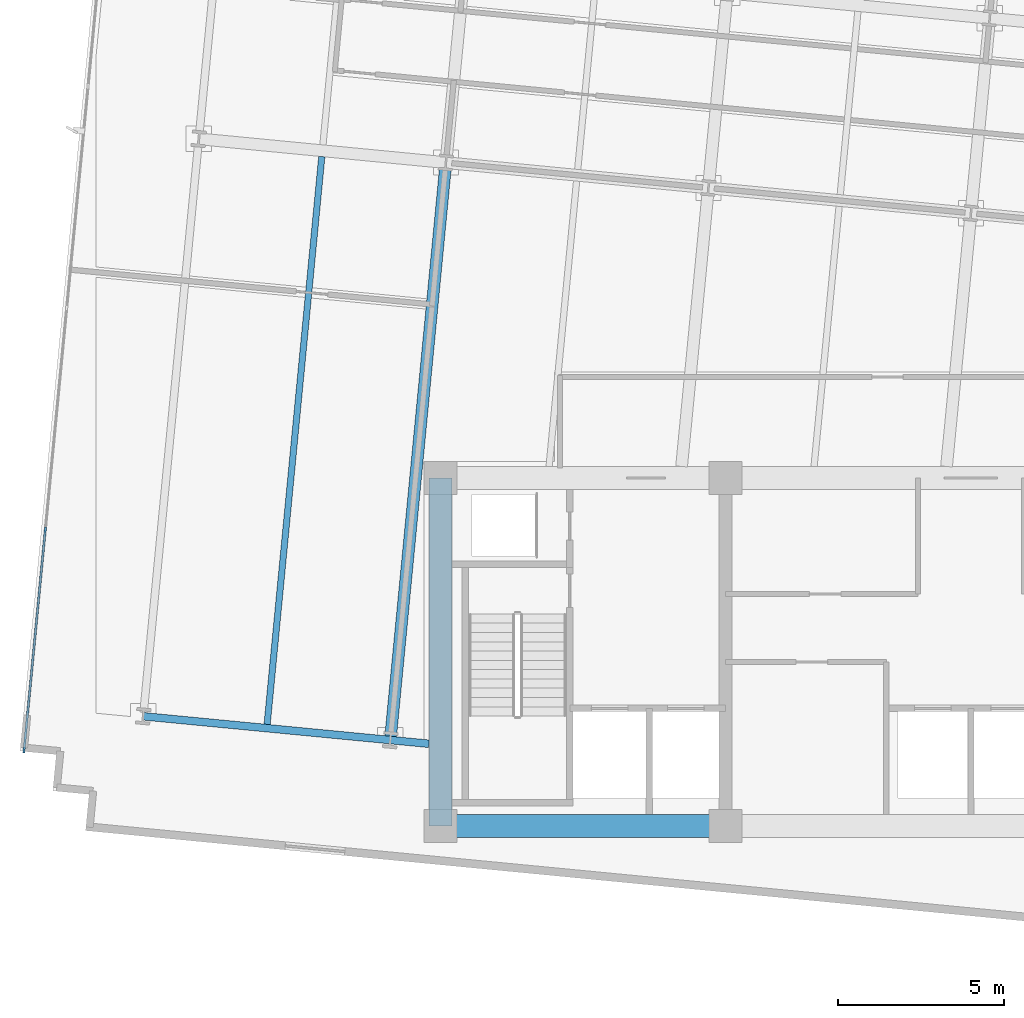
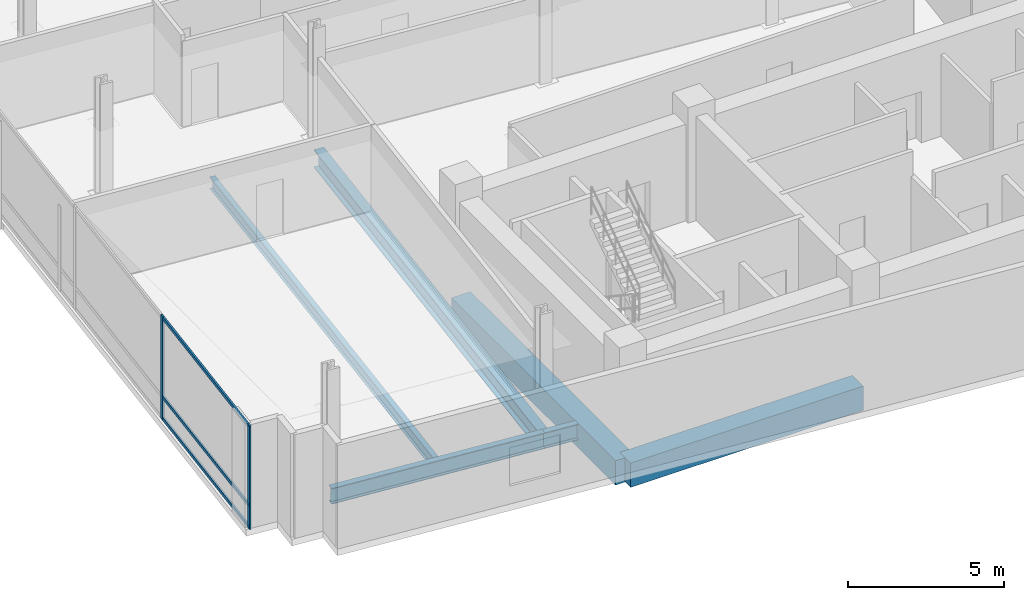
# One storey, part 2 of 17: 6 beams, 5 members, 1 element without a shape of its own.
"""IFC4 building model written with IfcOpenShell, lengths in metres."""

from ifc_helpers import new_model, si_unit, direction, frame, origin, origin_2d, place, context, subcontext, project, spatial, rectangle, i_section, extrude, material, material_profile, profile_set, type_object, element, aggregate, save


model = new_model("IFC4")

# Units and contexts
model_context = context("Model", 3, precision=1e-05, world=origin(), true_north=direction((0.0, 1.0)))
body_context = subcontext(model_context, "Body", "Model", "MODEL_VIEW")
ifc_project = project(units=[si_unit("LENGTHUNIT", "METRE"), si_unit("AREAUNIT", "SQUARE_METRE"), si_unit("VOLUMEUNIT", "CUBIC_METRE"), si_unit("PLANEANGLEUNIT", "RADIAN"), si_unit("MASSUNIT", "GRAM", prefix="KILO")], contexts=[model_context])

# Site, building, storey
site_placement = place(None, origin())
site = spatial("IfcSite", under=ifc_project, at=site_placement, CompositionType="ELEMENT")
building_placement = place(site_placement, origin())
building = spatial("IfcBuilding", under=site, at=building_placement, Name="Solmavex Isthmus Hotel", CompositionType="ELEMENT")
storey_placement = place(building_placement, frame((0.0, 0.0, 181.800048828125)))
storey = spatial("IfcBuildingStorey", under=building, at=storey_placement, Name="L49", CompositionType="ELEMENT", Elevation=181.800048828125)

# Beams
ifc_material_1 = material(Name="Steel ASTM A992 Grade 50", Category="steel")
ifc_material_profile_1 = material_profile(ifc_material_1, i_section(OverallWidth=0.354736328125, OverallDepth=0.695556640625, WebThickness=0.015380859375, FlangeThickness=0.02490234375, FilletRadius=0.017822265625, at=origin_2d()), Name="W27X146")
ifc_profile_set_1 = profile_set([ifc_material_profile_1], Name="Steel ASTM A992 Grade 50")
beam_type_1 = type_object("IfcBeamType", Name="BM-BG-W27X146", PredefinedType="BEAM", material=ifc_profile_set_1)
beam_1_placement = place(storey_placement, frame((-17.503662109375, -10.289306640625, -0.60791015625), z_axis=(0.095840821687, 0.99539667314, 0.0), x_axis=(-0.99539667314, 0.095840821687, 0.0)))
element("IfcBeam", 1, at=beam_1_placement, inside=storey, type_object=beam_type_1, Name="Floor Beam L49-VG24", PredefinedType="BEAM", context=body_context, shape_type="SweptSolid", body=[
    extrude(i_section(OverallWidth=0.354736328125, OverallDepth=0.695556640625, WebThickness=0.015380859375, FlangeThickness=0.02490234375, FilletRadius=0.017822265625, at=origin_2d()), origin(), (0.0, 0.0, 1.0), 17.207275390625),
])
ifc_material_profile_2 = material_profile(ifc_material_1, i_section(OverallWidth=0.1904296875, OverallDepth=0.456787109375, WebThickness=0.009033203125, FlangeThickness=0.014404296875, FilletRadius=0.0126953125, at=origin_2d()), Name="W18X50")
ifc_profile_set_2 = profile_set([ifc_material_profile_2], Name="Steel ASTM A992 Grade 50")
beam_type_2 = type_object("IfcBeamType", Name="BM-BJ-W18X50", PredefinedType="JOIST", material=ifc_profile_set_2)
beam_2_placement = place(storey_placement, frame((-21.23046875, -9.930419921875, -0.488525390625), z_axis=(0.095840821687, 0.99539667314, 0.0), x_axis=(-0.99539667314, 0.095840821687, 0.0)))
element("IfcBeam", 2, at=beam_2_placement, inside=storey, type_object=beam_type_2, Name="Secondary Floor Joist L49-J01", PredefinedType="JOIST", context=body_context, shape_type="SweptSolid", body=[
    extrude(i_section(OverallWidth=0.1904296875, OverallDepth=0.456787109375, WebThickness=0.009033203125, FlangeThickness=0.014404296875, FilletRadius=0.0126953125, at=origin_2d()), origin(), (0.0, 0.0, 1.0), 17.207275390625),
])
ifc_material_2 = material(Name="Concrete C60/75", Category="concrete")
ifc_material_profile_3 = material_profile(ifc_material_2, rectangle(XDim=0.699951171875, YDim=0.949951171875, at=origin_2d()), Name="RC700X950")
ifc_profile_set_3 = profile_set([ifc_material_profile_3], Name="Concrete C60/75")
beam_type_3 = type_object("IfcBeamType", Name="BM-CB-700X950", PredefinedType="BEAM", material=ifc_profile_set_3)
beam_3_placement = place(storey_placement, frame((-16.0, -13.0, -0.735107421875), z_axis=(1.0, 0.0, 0.0), x_axis=(0.0, 1.0, 0.0)))
element("IfcBeam", 3, at=beam_3_placement, inside=storey, type_object=beam_type_3, Name="Core Coupling Beam L49-CB1", PredefinedType="BEAM", context=body_context, shape_type="SweptSolid", body=[
    extrude(rectangle(XDim=0.699951171875, YDim=0.949951171875, at=origin_2d()), origin(), (0.0, 0.0, 1.0), 8.60009765625),
])
beam_4_placement = place(storey_placement, frame((-16.0, -13.0, -0.735107421875), z_axis=(0.0, 1.0, 0.0), x_axis=(-1.0, 0.0, 0.0)))
element("IfcBeam", 4, at=beam_4_placement, inside=storey, type_object=beam_type_3, Name="Core Coupling Beam L49-CB7", PredefinedType="BEAM", context=body_context, shape_type="SweptSolid", body=[
    extrude(rectangle(XDim=0.699951171875, YDim=0.949951171875, at=origin_2d()), origin(), (0.0, 0.0, 1.0), 10.5),
])
ifc_material_profile_4 = material_profile(ifc_material_1, i_section(OverallWidth=0.230224609375, OverallDepth=0.617431640625, WebThickness=0.01318359375, FlangeThickness=0.022216796875, FilletRadius=0.01513671875, at=origin_2d()), Name="W24X94")
ifc_profile_set_4 = profile_set([ifc_material_profile_4], Name="Steel ASTM A992 Grade 50")
beam_type_4 = type_object("IfcBeamType", Name="BM-SP-W24X94", PredefinedType="SPANDREL", material=ifc_profile_set_4)
beam_5_placement = place(storey_placement, frame((-24.96826171875, -9.686279296875, -0.56884765625), z_axis=(0.995395279593, -0.095855293875, 0.0), x_axis=(0.095855293875, 0.995395279593, 0.0)))
element("IfcBeam", 5, at=beam_5_placement, inside=storey, type_object=beam_type_4, Name="Floor Girder L49-UG01", PredefinedType="SPANDREL", context=body_context, shape_type="SweptSolid", body=[
    extrude(i_section(OverallWidth=0.230224609375, OverallDepth=0.617431640625, WebThickness=0.01318359375, FlangeThickness=0.022216796875, FilletRadius=0.01513671875, at=origin_2d()), origin(), (0.0, 0.0, 1.0), 7.488037109375),
])
beam_6_placement = place(storey_placement, frame((-17.5146484375, -10.404052734375, -0.56884765625), z_axis=(0.995402144456, -0.095783979938, 0.0), x_axis=(0.095783979938, 0.995402144456, 0.0)))
element("IfcBeam", 6, at=beam_6_placement, inside=storey, type_object=beam_type_4, Name="Floor Girder L49-UG02", PredefinedType="SPANDREL", context=body_context, shape_type="SweptSolid", body=[
    extrude(i_section(OverallWidth=0.230224609375, OverallDepth=0.617431640625, WebThickness=0.01318359375, FlangeThickness=0.022216796875, FilletRadius=0.01513671875, at=origin_2d()), origin(), (0.0, 0.0, 1.0), 1.169921875),
])

# Curtain wall, members
ifc_material_3 = material(Name="Aluminium alloy 6063-T6", Category="aluminium")
curtain_wall_type = type_object("IfcCurtainWallType", Name="CW-SYS-05", PredefinedType="NOTDEFINED", material=ifc_material_3)
curtain_wall_placement = place(storey_placement, origin())
curtain_wall = element("IfcCurtainWall", 7, at=curtain_wall_placement, inside=storey, type_object=curtain_wall_type, Name="Stick Curtain Wall CWL-L49-W1", PredefinedType="NOTDEFINED")
ifc_material_profile_5 = material_profile(ifc_material_3, rectangle(XDim=0.06494140625, YDim=0.159912109375, at=origin_2d()), Name="CWM-65X160")
ifc_profile_set_5 = profile_set([ifc_material_profile_5], Name="Aluminium alloy 6063-T6")
member_type_1 = type_object("IfcMemberType", Name="CW-SYS-05-MUL", PredefinedType="MULLION", material=ifc_profile_set_5)
member_1_placement = place(storey_placement, frame((-28.563232421875, -10.7138671875, 0.0), z_axis=(0.0, 0.0, 1.0), x_axis=(-0.995396190038, 0.09584583902, 0.0)))
member_1 = element("IfcMember", 8, at=member_1_placement, type_object=member_type_1, Name="CW-05 mullion 1", PredefinedType="MULLION", context=body_context, shape_type="SweptSolid", body=[
    extrude(rectangle(XDim=0.06494140625, YDim=0.159912109375, at=origin_2d()), origin(), (0.0, 0.0, 1.0), 4.050048828125),
])
member_2_placement = place(storey_placement, frame((-27.92236328125, -4.057373046875, 0.0), z_axis=(0.0, 0.0, 1.0), x_axis=(-0.995396190038, 0.09584583902, 0.0)))
member_2 = element("IfcMember", 9, at=member_2_placement, type_object=member_type_1, Name="CW-05 mullion 2", PredefinedType="MULLION", context=body_context, shape_type="SweptSolid", body=[
    extrude(rectangle(XDim=0.06494140625, YDim=0.159912109375, at=origin_2d()), origin(), (0.0, 0.0, 1.0), 4.050048828125),
])
ifc_material_profile_6 = material_profile(ifc_material_3, rectangle(XDim=0.06494140625, YDim=0.125, at=origin_2d()), Name="CWT-65X125")
ifc_profile_set_6 = profile_set([ifc_material_profile_6], Name="Aluminium alloy 6063-T6")
member_type_2 = type_object("IfcMemberType", Name="CW-SYS-05-TRN", PredefinedType="USERDEFINED", material=ifc_profile_set_6)
member_3_placement = place(storey_placement, frame((-28.560302734375, -10.681640625, 0.0625), z_axis=(0.095849383604, 0.995395848727, 0.0), x_axis=(-0.995395848727, 0.095849383604, 0.0)))
member_3 = element("IfcMember", 10, at=member_3_placement, type_object=member_type_2, Name="CW-05 transom 1.1", ObjectType="TRANSOM", PredefinedType="USERDEFINED", context=body_context, shape_type="SweptSolid", body=[
    extrude(rectangle(XDim=0.06494140625, YDim=0.125, at=origin_2d()), origin(), (0.0, 0.0, 1.0), 6.62255859375),
])
member_4_placement = place(storey_placement, frame((-28.560302734375, -10.681640625, 0.89990234375), z_axis=(0.095849383604, 0.995395848727, 0.0), x_axis=(-0.995395848727, 0.095849383604, 0.0)))
member_4 = element("IfcMember", 11, at=member_4_placement, type_object=member_type_2, Name="CW-05 transom 1.2", ObjectType="TRANSOM", PredefinedType="USERDEFINED", context=body_context, shape_type="SweptSolid", body=[
    extrude(rectangle(XDim=0.06494140625, YDim=0.125, at=origin_2d()), origin(), (0.0, 0.0, 1.0), 6.62255859375),
])
member_5_placement = place(storey_placement, frame((-28.560302734375, -10.681640625, 3.987548828125), z_axis=(0.095849383604, 0.995395848727, 0.0), x_axis=(-0.995395848727, 0.095849383604, 0.0)))
member_5 = element("IfcMember", 12, at=member_5_placement, type_object=member_type_2, Name="CW-05 transom 1.3", ObjectType="TRANSOM", PredefinedType="USERDEFINED", context=body_context, shape_type="SweptSolid", body=[
    extrude(rectangle(XDim=0.06494140625, YDim=0.125, at=origin_2d()), origin(), (0.0, 0.0, 1.0), 6.62255859375),
])
aggregate(curtain_wall, [member_1, member_2, member_3, member_4, member_5])

save(model, "model.ifc")
